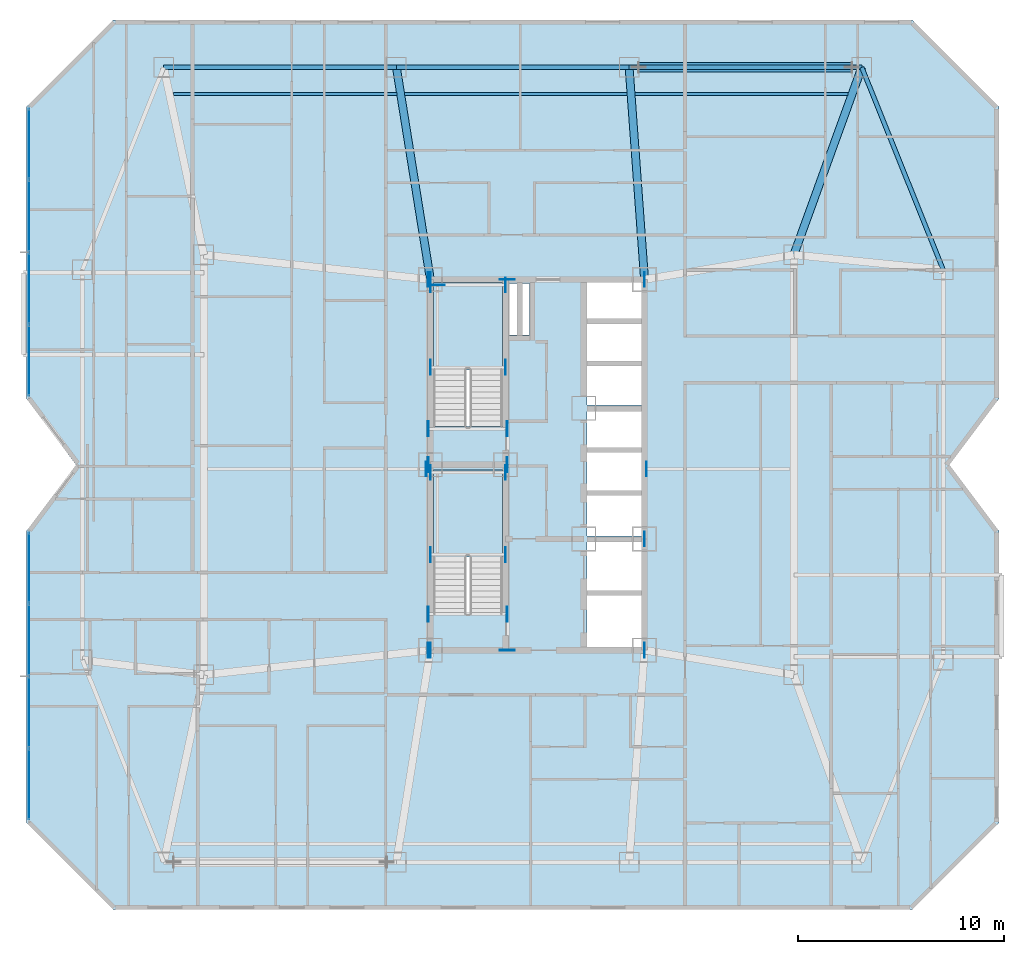
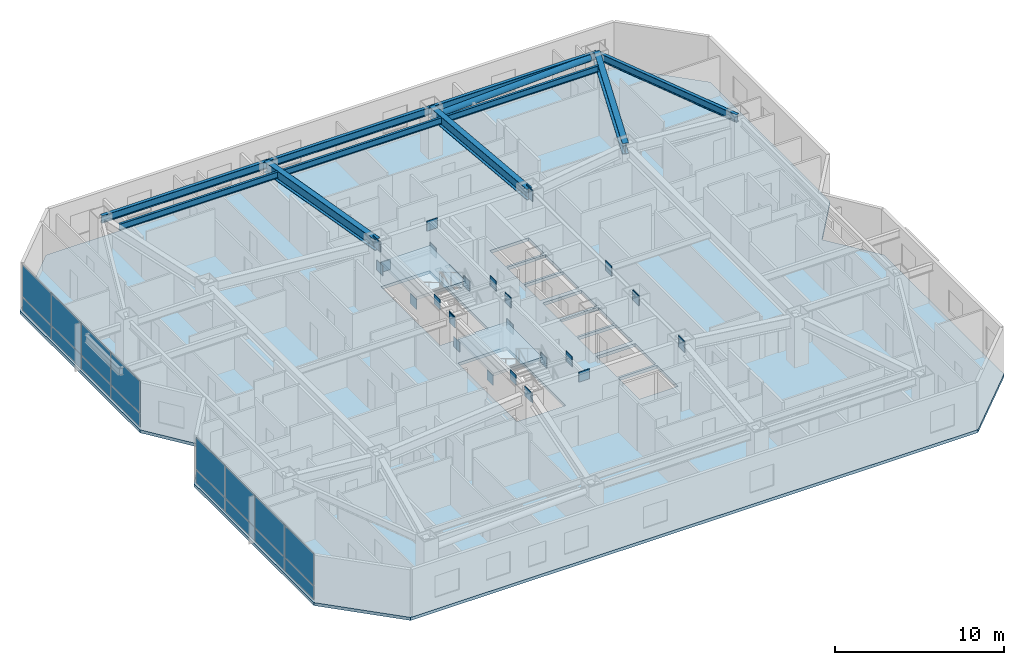
# One storey, part 11 of 21: 44 plates, 10 beams, 3 slabs, 1 member, 4 elements without a shape of their own.
"""IFC4 building model written with IfcOpenShell, lengths in metres."""

import ifcopenshell
import ifcopenshell.guid

model = None  # the IFC model being written
_history = None  # IfcOwnerHistory: only IFC2X3 demands one
_inside = {}  # id of a spatial element -> (the spatial element, [elements in it])
_under = {}  # id of a project, library or spatial element -> (it, [spatial elements below it])
_declared = {}  # id of a project -> (the project, [libraries it declares])
_typed = {}  # id of a type object -> (the type object, [elements of that type])
_made_of = {}  # id of a material, layer set ... -> (it, [elements and type objects made of it])


def new_model(schema):
    """Start an empty IFC model of exactly this schema.

    Asked for "IFC4X3", IfcOpenShell would pick the latest addendum, in which some entities
    have other attributes; the version numbers below select the first issue.
    IFC2X3 requires an IfcOwnerHistory on every rooted entity: one is made here for all.
    """
    global model, _history
    if schema == "IFC4X3":
        model = ifcopenshell.file(schema_version=(4, 3, 0, 0))
    else:
        model = ifcopenshell.file(schema=schema)
    _inside.clear()
    _under.clear()
    _declared.clear()
    _typed.clear()
    _made_of.clear()
    _history = None
    if model.schema == "IFC2X3":
        org = make("IfcOrganization", Name="unknown")
        user = make(
            "IfcPersonAndOrganization",
            ThePerson=make("IfcPerson", FamilyName="unknown"),
            TheOrganization=org,
        )
        app = make(
            "IfcApplication",
            ApplicationDeveloper=org,
            Version="unknown",
            ApplicationFullName="unknown",
            ApplicationIdentifier="unknown",
        )
        _history = make(
            "IfcOwnerHistory",
            OwningUser=user,
            OwningApplication=app,
            ChangeAction="ADDED",
            CreationDate=0,
        )
    return model


def make(cls, **values):
    """One entity of the class cls with the attributes given. An attribute that is None is left unset."""
    return model.create_entity(
        cls, **{name: value for name, value in values.items() if value is not None}
    )


def rooted(cls, **values):
    """An entity with a GlobalId (a new one), such as an element, a storey or a relation."""
    return make(cls, GlobalId=ifcopenshell.guid.new(), OwnerHistory=_history, **values)


def si_unit(unit_type, name, prefix=None):
    """IfcSIUnit, for example si_unit("LENGTHUNIT", "METRE", prefix="MILLI")."""
    return make("IfcSIUnit", UnitType=unit_type, Prefix=prefix, Name=name)


def assignment(units):
    """IfcUnitAssignment: the units of a project."""
    return None if units is None else make("IfcUnitAssignment", Units=units)


def point(xyz):
    """IfcCartesianPoint."""
    return None if xyz is None else make("IfcCartesianPoint", Coordinates=xyz)


def direction(xyz):
    """IfcDirection."""
    return None if xyz is None else make("IfcDirection", DirectionRatios=xyz)


def frame(location, z_axis=None, x_axis=None):
    """IfcAxis2Placement3D, a coordinate frame: its origin and axes. An axis left out is left unset."""
    return make(
        "IfcAxis2Placement3D",
        Location=point(location),
        Axis=direction(z_axis),
        RefDirection=direction(x_axis),
    )


def frame_2d(location, x_axis=None):
    """IfcAxis2Placement2D, a coordinate frame in the plane: its origin and x axis."""
    return make(
        "IfcAxis2Placement2D", Location=point(location), RefDirection=direction(x_axis)
    )


def origin():
    """The frame at (0, 0, 0) with its axes left unset."""
    return frame((0.0, 0.0, 0.0))


def origin_2d():
    """The frame at (0, 0) in the plane with its x axis left unset."""
    return frame_2d((0.0, 0.0))


def place(relative_to, where):
    """IfcLocalPlacement: puts the frame where relative to a parent placement (None: the world)."""
    return make(
        "IfcLocalPlacement", PlacementRelTo=relative_to, RelativePlacement=where
    )


def context(
    kind, dimensions, precision=None, world=None, true_north=None, identifier=None
):
    """IfcGeometricRepresentationContext, for example the 3D "Model" context."""
    return make(
        "IfcGeometricRepresentationContext",
        ContextIdentifier=identifier,
        ContextType=kind,
        CoordinateSpaceDimension=dimensions,
        Precision=precision,
        WorldCoordinateSystem=world,
        TrueNorth=true_north,
    )


def subcontext(parent, identifier, kind, view, scale=None):
    """IfcGeometricRepresentationSubContext, for example "Body" below "Model"."""
    return make(
        "IfcGeometricRepresentationSubContext",
        ContextIdentifier=identifier,
        ContextType=kind,
        ParentContext=parent,
        TargetScale=scale,
        TargetView=view,
    )


def project(units=None, contexts=None):
    """IfcProject with its units and contexts."""
    return rooted(
        "IfcProject",
        Name="project",
        RepresentationContexts=contexts,
        UnitsInContext=assignment(units),
    )


def spatial(cls, under=None, at=None, **own):
    """A site, building, storey or space (cls), placed at a placement, below another one or the project."""
    s = rooted(cls, ObjectPlacement=at, **own)
    if under is not None:
        _under.setdefault(under.id(), (under, []))[1].append(s)
    return s


def polyline(points):
    """IfcPolyline through the points."""
    return make("IfcPolyline", Points=[point(p) for p in points])


def profile(cls, at=None, kind="AREA", **sizes):
    """A parametric profile (cls). Its sizes go by their IFC names, for example OverallWidth=200.0."""
    return make(cls, ProfileType=kind, Position=at, **sizes)


def rectangle(**sizes):
    """IfcRectangleProfileDef."""
    return profile("IfcRectangleProfileDef", **sizes)


def hollow_circle(**sizes):
    """IfcCircleHollowProfileDef."""
    return profile("IfcCircleHollowProfileDef", **sizes)


def i_section(**sizes):
    """IfcIShapeProfileDef."""
    return profile("IfcIShapeProfileDef", **sizes)


def outline(outer, holes=None, kind="AREA"):
    """IfcArbitraryClosedProfileDef: a profile drawn as a closed curve; with holes, ...WithVoids."""
    if holes is None:
        return make("IfcArbitraryClosedProfileDef", ProfileType=kind, OuterCurve=outer)
    return make(
        "IfcArbitraryProfileDefWithVoids",
        ProfileType=kind,
        OuterCurve=outer,
        InnerCurves=holes,
    )


def extrude(swept, where, along, depth):
    """IfcExtrudedAreaSolid: the profile swept, set in the frame where, extruded along a direction by depth."""
    return make(
        "IfcExtrudedAreaSolid",
        SweptArea=swept,
        Position=where,
        ExtrudedDirection=direction(along),
        Depth=depth,
    )


def shape(context_of_items, identifier, shape_type, items):
    """IfcShapeRepresentation: the items that make up one representation, for example the "Body"."""
    return make(
        "IfcShapeRepresentation",
        ContextOfItems=context_of_items,
        RepresentationIdentifier=identifier,
        RepresentationType=shape_type,
        Items=items,
    )


def material(Name=None, Category=None):
    """IfcMaterial."""
    return make("IfcMaterial", Name=Name, Category=Category)


def layer(
    of_material, thickness, ventilated=None, Name=None, Category=None, Priority=None
):
    """IfcMaterialLayer: one layer of a wall or slab, of a material (None: an air gap)."""
    return make(
        "IfcMaterialLayer",
        Material=of_material,
        LayerThickness=thickness,
        IsVentilated=ventilated,
        Name=Name,
        Category=Category,
        Priority=Priority,
    )


def layer_set(layers, Name=None):
    """IfcMaterialLayerSet."""
    return make("IfcMaterialLayerSet", MaterialLayers=layers, LayerSetName=Name)


def material_profile(
    of_material, cross_section, Name=None, Category=None, Priority=None
):
    """IfcMaterialProfile: a cross section and its material."""
    return make(
        "IfcMaterialProfile",
        Name=Name,
        Material=of_material,
        Profile=cross_section,
        Priority=Priority,
        Category=Category,
    )


def profile_set(profiles, Name=None, composite=None):
    """IfcMaterialProfileSet."""
    return make(
        "IfcMaterialProfileSet",
        Name=Name,
        MaterialProfiles=profiles,
        CompositeProfile=composite,
    )


def made_of(thing, what):
    """Note that an element or type object is made of a material, layer set ...; save() writes the relation."""
    if what is not None:
        _made_of.setdefault(what.id(), (what, []))[1].append(thing)
    return thing


def type_object(cls, material=None, **own):
    """A type object (cls), such as IfcWallType, which elements share."""
    return made_of(rooted(cls, **own), material)


def element(
    cls,
    number,
    at=None,
    inside=None,
    cuts=None,
    type_object=None,
    material=None,
    context=None,
    identifier="Body",
    shape_type=None,
    held_by="IfcProductDefinitionShape",
    body=None,
    shapes=None,
    **own,
):
    """One element of the class cls, such as IfcWall. Its Tag is "e" and its number.

    at: its placement. inside: the storey or other place that contains it. cuts: it is an
    opening in that element (IfcRelVoidsElement). A single representation is given by context,
    identifier, shape_type and body (its items); several are given by shapes. held_by: the class
    of the entity that holds the representations. save() writes the other relations.
    """
    e = rooted(cls, Tag="e%d" % number, ObjectPlacement=at, **own)
    if body is not None:
        shapes = [shape(context, identifier, shape_type, body)]
    if shapes is not None:
        e.Representation = make(held_by, Representations=shapes)
    if inside is not None:
        _inside.setdefault(inside.id(), (inside, []))[1].append(e)
    if cuts is not None:
        rooted(
            "IfcRelVoidsElement", RelatingBuildingElement=cuts, RelatedOpeningElement=e
        )
    if type_object is not None:
        _typed.setdefault(type_object.id(), (type_object, []))[1].append(e)
    return made_of(e, material)


def aggregate(whole, parts):
    """IfcRelAggregates: a whole, such as a stair, and the parts it consists of."""
    return rooted("IfcRelAggregates", RelatingObject=whole, RelatedObjects=parts)


def save(model, path):
    """Write the relations noted so far, then the file.

    IfcRelAggregates (storeys below a building ...), IfcRelContainedInSpatialStructure (elements
    in a storey), IfcRelDefinesByType, IfcRelAssociatesMaterial and IfcRelDeclares: one each for
    every whole, place, type object, material and project.
    """
    for whole, parts in _under.values():
        aggregate(whole, parts)
    for where, things in _inside.values():
        rooted(
            "IfcRelContainedInSpatialStructure",
            RelatedElements=things,
            RelatingStructure=where,
        )
    for kind, things in _typed.values():
        rooted("IfcRelDefinesByType", RelatedObjects=things, RelatingType=kind)
    for what, things in _made_of.values():
        rooted("IfcRelAssociatesMaterial", RelatedObjects=things, RelatingMaterial=what)
    for by, libraries in _declared.values():
        rooted("IfcRelDeclares", RelatingContext=by, RelatedDefinitions=libraries)
    model.write(path)


model = new_model("IFC4")

# Units and contexts
model_context = context("Model", 3, precision=1e-05, world=origin(), true_north=direction((0.0, 1.0)))
body_context = subcontext(model_context, "Body", "Model", "MODEL_VIEW")
ifc_project = project(units=[si_unit("LENGTHUNIT", "METRE"), si_unit("AREAUNIT", "SQUARE_METRE"), si_unit("VOLUMEUNIT", "CUBIC_METRE"), si_unit("PLANEANGLEUNIT", "RADIAN"), si_unit("MASSUNIT", "GRAM", prefix="KILO")], contexts=[model_context])

# Site, building, storey
site_placement = place(None, origin())
site = spatial("IfcSite", under=ifc_project, at=site_placement, CompositionType="ELEMENT")
building_placement = place(site_placement, origin())
building = spatial("IfcBuilding", under=site, at=building_placement, Name="Khamvora Tower", CompositionType="ELEMENT")
storey_placement = place(building_placement, frame((0.0, 0.0, 98.25)))
storey = spatial("IfcBuildingStorey", under=building, at=storey_placement, Name="L24", CompositionType="ELEMENT", Elevation=98.25)

# Beams
ifc_material_1 = material(Name="Steel S355", Category="steel")
ifc_material_profile_1 = material_profile(ifc_material_1, i_section(OverallWidth=0.154052734375, OverallDepth=0.458984375, WebThickness=0.009033203125, FlangeThickness=0.014892578125, FilletRadius=0.011962890625, at=origin_2d()), Name="W460x68")
ifc_profile_set_1 = profile_set([ifc_material_profile_1], Name="Steel S355")
beam_type_1 = type_object("IfcBeamType", Name="BM-JS-W460x68", PredefinedType="JOIST", material=ifc_profile_set_1)
beam_1_placement = place(storey_placement, frame((16.51806640625, 46.0, 3.200927734375), z_axis=(1.0, 0.0, 0.0), x_axis=(0.0, 1.0, 0.0)))
element("IfcBeam", 1, at=beam_1_placement, inside=storey, type_object=beam_type_1, Name="L24 secondary floor joist 06", PredefinedType="JOIST", context=body_context, shape_type="SweptSolid", body=[
    extrude(i_section(OverallWidth=0.154052734375, OverallDepth=0.458984375, WebThickness=0.009033203125, FlangeThickness=0.014892578125, FilletRadius=0.011962890625, at=origin_2d()), origin(), (0.0, 0.0, 1.0), 10.85205078125),
])
beam_2_placement = place(storey_placement, frame((27.74609375, 46.0, 3.200927734375), z_axis=(1.0, 0.0, 0.0), x_axis=(0.0, 1.0, 0.0)))
element("IfcBeam", 2, at=beam_2_placement, inside=storey, type_object=beam_type_1, Name="L24 secondary floor joist 07", PredefinedType="JOIST", context=body_context, shape_type="SweptSolid", body=[
    extrude(i_section(OverallWidth=0.154052734375, OverallDepth=0.458984375, WebThickness=0.009033203125, FlangeThickness=0.014892578125, FilletRadius=0.011962890625, at=origin_2d()), origin(), (0.0, 0.0, 1.0), 10.81298828125),
])
beam_3_placement = place(storey_placement, frame((38.930908203125, 46.0, 3.200927734375), z_axis=(1.0, 0.0, 0.0), x_axis=(0.0, 1.0, 0.0)))
element("IfcBeam", 3, at=beam_3_placement, inside=storey, type_object=beam_type_1, Name="L24 secondary floor joist 08", PredefinedType="JOIST", context=body_context, shape_type="SweptSolid", body=[
    extrude(i_section(OverallWidth=0.154052734375, OverallDepth=0.458984375, WebThickness=0.009033203125, FlangeThickness=0.014892578125, FilletRadius=0.011962890625, at=origin_2d()), origin(), (0.0, 0.0, 1.0), 10.35009765625),
])
ifc_material_profile_2 = material_profile(ifc_material_1, i_section(OverallWidth=0.381103515625, OverallDepth=0.77294921875, WebThickness=0.01708984375, FlangeThickness=0.027099609375, FilletRadius=0.01806640625, at=origin_2d()), Name="W760x257")
ifc_profile_set_2 = profile_set([ifc_material_profile_2], Name="Steel S355")
beam_type_2 = type_object("IfcBeamType", Name="BM-PG-W760x257", PredefinedType="BEAM", material=ifc_profile_set_2)
beam_4_placement = place(storey_placement, frame((29.0, 37.0, 3.0439453125), z_axis=(-0.158167584066, 0.987412282358, 0.0), x_axis=(-0.987412282358, -0.158167584066, 0.0)))
element("IfcBeam", 4, at=beam_4_placement, inside=storey, type_object=beam_type_2, Name="L24 primary floor girder N2", PredefinedType="BEAM", context=body_context, shape_type="SweptSolid", body=[
    extrude(i_section(OverallWidth=0.381103515625, OverallDepth=0.77294921875, WebThickness=0.01708984375, FlangeThickness=0.027099609375, FilletRadius=0.01806640625, at=origin_2d()), origin(), (0.0, 0.0, 1.0), 10.431396484375),
])
beam_5_placement = place(storey_placement, frame((39.39990234375, 37.0, 3.0439453125), z_axis=(-0.07262291808, 0.997359469685, 0.0), x_axis=(-0.997359469685, -0.07262291808, 0.0)))
element("IfcBeam", 5, at=beam_5_placement, inside=storey, type_object=beam_type_2, Name="L24 primary floor girder N3", PredefinedType="BEAM", context=body_context, shape_type="SweptSolid", body=[
    extrude(i_section(OverallWidth=0.381103515625, OverallDepth=0.77294921875, WebThickness=0.01708984375, FlangeThickness=0.027099609375, FilletRadius=0.01806640625, at=origin_2d()), origin(), (0.0, 0.0, 1.0), 10.327392578125),
])
beam_6_placement = place(storey_placement, frame((46.64990234375, 38.199951171875, 3.0439453125), z_axis=(0.340914681567, 0.940094239899, 0.0), x_axis=(-0.940094239899, 0.340914681567, 0.0)))
element("IfcBeam", 6, at=beam_6_placement, inside=storey, type_object=beam_type_2, Name="L24 primary floor girder N4", PredefinedType="BEAM", context=body_context, shape_type="SweptSolid", body=[
    extrude(i_section(OverallWidth=0.381103515625, OverallDepth=0.77294921875, WebThickness=0.01708984375, FlangeThickness=0.027099609375, FilletRadius=0.01806640625, at=origin_2d()), origin(), (0.0, 0.0, 1.0), 9.679931640625),
])
ifc_material_profile_3 = material_profile(ifc_material_1, i_section(OverallWidth=0.2119140625, OverallDepth=0.5439453125, WebThickness=0.012939453125, FlangeThickness=0.02099609375, FilletRadius=0.013916015625, at=origin_2d()), Name="W530x123")
ifc_profile_set_3 = profile_set([ifc_material_profile_3], Name="Steel S355")
beam_type_3 = type_object("IfcBeamType", Name="BM-SP-W530x123", PredefinedType="SPANDREL", material=ifc_profile_set_3)
beam_7_placement = place(storey_placement, frame((53.89990234375, 37.47509765625, 3.157958984375), z_axis=(-0.373015921536, 0.927824941614, 0.0), x_axis=(-0.927824941614, -0.373015921536, 0.0)))
element("IfcBeam", 7, at=beam_7_placement, inside=storey, type_object=beam_type_3, Name="L24 perimeter spandrel beam E2-N4", PredefinedType="SPANDREL", context=body_context, shape_type="SweptSolid", body=[
    extrude(i_section(OverallWidth=0.2119140625, OverallDepth=0.5439453125, WebThickness=0.012939453125, FlangeThickness=0.02099609375, FilletRadius=0.013916015625, at=origin_2d()), origin(), (0.0, 0.0, 1.0), 10.589111328125),
])
beam_8_placement = place(storey_placement, frame((49.949951171875, 47.300048828125, 3.157958984375), z_axis=(-1.0, 0.0, 0.0), x_axis=(0.0, -1.0, 0.0)))
element("IfcBeam", 8, at=beam_8_placement, inside=storey, type_object=beam_type_3, Name="L24 perimeter spandrel beam N4-N3", PredefinedType="SPANDREL", context=body_context, shape_type="SweptSolid", body=[
    extrude(i_section(OverallWidth=0.2119140625, OverallDepth=0.5439453125, WebThickness=0.012939453125, FlangeThickness=0.02099609375, FilletRadius=0.013916015625, at=origin_2d()), origin(), (0.0, 0.0, 1.0), 11.300048828125),
])
beam_9_placement = place(storey_placement, frame((38.64990234375, 47.300048828125, 3.157958984375), z_axis=(-1.0, 0.0, 0.0), x_axis=(0.0, -1.0, 0.0)))
element("IfcBeam", 9, at=beam_9_placement, inside=storey, type_object=beam_type_3, Name="L24 perimeter spandrel beam N3-N2", PredefinedType="SPANDREL", context=body_context, shape_type="SweptSolid", body=[
    extrude(i_section(OverallWidth=0.2119140625, OverallDepth=0.5439453125, WebThickness=0.012939453125, FlangeThickness=0.02099609375, FilletRadius=0.013916015625, at=origin_2d()), origin(), (0.0, 0.0, 1.0), 11.2998046875),
])
beam_10_placement = place(storey_placement, frame((27.35009765625, 47.300048828125, 3.157958984375), z_axis=(-1.0, 0.0, 0.0), x_axis=(0.0, -1.0, 0.0)))
element("IfcBeam", 10, at=beam_10_placement, inside=storey, type_object=beam_type_3, Name="L24 perimeter spandrel beam N2-N1", PredefinedType="SPANDREL", context=body_context, shape_type="SweptSolid", body=[
    extrude(i_section(OverallWidth=0.2119140625, OverallDepth=0.5439453125, WebThickness=0.012939453125, FlangeThickness=0.02099609375, FilletRadius=0.013916015625, at=origin_2d()), origin(), (0.0, 0.0, 1.0), 11.300048828125),
])

# Member
ifc_material_profile_4 = material_profile(ifc_material_1, hollow_circle(Radius=0.228515625, WallThickness=0.02001953125, at=origin_2d()), Name="CHS457x20")
ifc_profile_set_4 = profile_set([ifc_material_profile_4], Name="Steel S355")
member_type = type_object("IfcMemberType", Name="MEM-BR-CHS457", PredefinedType="BRACE", material=ifc_profile_set_4)
member_placement = place(storey_placement, frame((39.1298828125, 47.300048828125, 2.699951171875), z_axis=(0.999087057337, 0.0, 0.042720625713), x_axis=(0.0, 1.0, 0.0)))
element("IfcMember", 11, at=member_placement, inside=storey, type_object=member_type, Name="L24 perimeter wind brace 2", PredefinedType="BRACE", context=body_context, shape_type="SweptSolid", body=[
    extrude(hollow_circle(Radius=0.228515625, WallThickness=0.02001953125, at=origin_2d()), origin(), (0.0, 0.0, 1.0), 10.349609375),
])

# Curtain wall, plates
ifc_material_2 = material(Name="Anodised Aluminium 6063-T6", Category="aluminium")
curtain_wall_type = type_object("IfcCurtainWallType", Name="CW-SYS-03", PredefinedType="NOTDEFINED", material=ifc_material_2)
curtain_wall_1_placement = place(storey_placement, origin())
curtain_wall_1 = element("IfcCurtainWall", 12, at=curtain_wall_1_placement, inside=storey, type_object=curtain_wall_type, Name="L24 stick curtain wall 02.1", PredefinedType="NOTDEFINED")
ifc_material_3 = material(Name="Low-E Laminated Double Glazing", Category="glass")
ifc_layer_1 = layer(ifc_material_3, 0.030029296875)
ifc_layer_set_1 = layer_set([ifc_layer_1], Name="Low-E Laminated Double Glazing")
plate_type_1 = type_object("IfcPlateType", Name="CW-SYS-03-PNL", PredefinedType="CURTAIN_PANEL", material=ifc_layer_set_1)
plate_1_placement = place(storey_placement, frame((9.510009765625, 12.489013671875, 0.06494140625), z_axis=(0.0, 0.0, 1.0), x_axis=(0.0, 1.0, 0.0)))
plate_1 = element("IfcPlate", 13, at=plate_1_placement, type_object=plate_type_1, Name="CW-03 panel 1.1", PredefinedType="CURTAIN_PANEL", context=body_context, shape_type="SweptSolid", body=[
    extrude(rectangle(XDim=3.4140625, YDim=0.030029296875, at=origin_2d()), origin(), (0.0, 0.0, 1.0), 0.952392578125),
])
plate_2_placement = place(storey_placement, frame((9.510009765625, 12.489013671875, 1.08251953125), z_axis=(0.0, 0.0, 1.0), x_axis=(0.0, 1.0, 0.0)))
plate_2 = element("IfcPlate", 14, at=plate_2_placement, type_object=plate_type_1, Name="CW-03 panel 1.2", PredefinedType="CURTAIN_PANEL", context=body_context, shape_type="SweptSolid", body=[
    extrude(rectangle(XDim=3.4140625, YDim=0.030029296875, at=origin_2d()), origin(), (0.0, 0.0, 1.0), 2.282470703125),
])
plate_3_placement = place(storey_placement, frame((9.510009765625, 15.984130859375, 0.06494140625), z_axis=(0.0, 0.0, 1.0), x_axis=(0.0, 1.0, 0.0)))
plate_3 = element("IfcPlate", 15, at=plate_3_placement, type_object=plate_type_1, Name="CW-03 panel 2.1", PredefinedType="CURTAIN_PANEL", context=body_context, shape_type="SweptSolid", body=[
    extrude(rectangle(XDim=3.446533203125, YDim=0.030029296875, at=origin_2d()), origin(), (0.0, 0.0, 1.0), 0.952392578125),
])
plate_4_placement = place(storey_placement, frame((9.510009765625, 15.984130859375, 1.08251953125), z_axis=(0.0, 0.0, 1.0), x_axis=(0.0, 1.0, 0.0)))
plate_4 = element("IfcPlate", 16, at=plate_4_placement, type_object=plate_type_1, Name="CW-03 panel 2.2", PredefinedType="CURTAIN_PANEL", context=body_context, shape_type="SweptSolid", body=[
    extrude(rectangle(XDim=3.446533203125, YDim=0.030029296875, at=origin_2d()), origin(), (0.0, 0.0, 1.0), 2.282470703125),
])
plate_5_placement = place(storey_placement, frame((9.510009765625, 19.495849609375, 0.06494140625), z_axis=(0.0, 0.0, 1.0), x_axis=(0.0, 1.0, 0.0)))
plate_5 = element("IfcPlate", 17, at=plate_5_placement, type_object=plate_type_1, Name="CW-03 panel 3.1", PredefinedType="CURTAIN_PANEL", context=body_context, shape_type="SweptSolid", body=[
    extrude(rectangle(XDim=3.446533203125, YDim=0.030029296875, at=origin_2d()), origin(), (0.0, 0.0, 1.0), 0.952392578125),
])
plate_6_placement = place(storey_placement, frame((9.510009765625, 19.495849609375, 1.08251953125), z_axis=(0.0, 0.0, 1.0), x_axis=(0.0, 1.0, 0.0)))
plate_6 = element("IfcPlate", 18, at=plate_6_placement, type_object=plate_type_1, Name="CW-03 panel 3.2", PredefinedType="CURTAIN_PANEL", context=body_context, shape_type="SweptSolid", body=[
    extrude(rectangle(XDim=3.446533203125, YDim=0.030029296875, at=origin_2d()), origin(), (0.0, 0.0, 1.0), 2.282470703125),
])
plate_7_placement = place(storey_placement, frame((9.510009765625, 22.990966796875, 0.06494140625), z_axis=(0.0, 0.0, 1.0), x_axis=(0.0, 1.0, 0.0)))
plate_7 = element("IfcPlate", 19, at=plate_7_placement, type_object=plate_type_1, Name="CW-03 panel 4.1", PredefinedType="CURTAIN_PANEL", context=body_context, shape_type="SweptSolid", body=[
    extrude(rectangle(XDim=3.4140625, YDim=0.030029296875, at=origin_2d()), origin(), (0.0, 0.0, 1.0), 0.952392578125),
])
plate_8_placement = place(storey_placement, frame((9.510009765625, 22.990966796875, 1.08251953125), z_axis=(0.0, 0.0, 1.0), x_axis=(0.0, 1.0, 0.0)))
plate_8 = element("IfcPlate", 20, at=plate_8_placement, type_object=plate_type_1, Name="CW-03 panel 4.2", PredefinedType="CURTAIN_PANEL", context=body_context, shape_type="SweptSolid", body=[
    extrude(rectangle(XDim=3.4140625, YDim=0.030029296875, at=origin_2d()), origin(), (0.0, 0.0, 1.0), 2.282470703125),
])
aggregate(curtain_wall_1, [plate_1, plate_2, plate_3, plate_4, plate_5, plate_6, plate_7, plate_8])

curtain_wall_2_placement = place(storey_placement, origin())
curtain_wall_2 = element("IfcCurtainWall", 21, at=curtain_wall_2_placement, inside=storey, type_object=curtain_wall_type, Name="L24 stick curtain wall 05.1", PredefinedType="NOTDEFINED")
plate_9_placement = place(storey_placement, frame((9.510009765625, 33.06689453125, 0.06494140625), z_axis=(0.0, 0.0, 1.0), x_axis=(0.0, 1.0, 0.0)))
plate_9 = element("IfcPlate", 22, at=plate_9_placement, type_object=plate_type_1, Name="CW-03 panel 1.1", PredefinedType="CURTAIN_PANEL", context=body_context, shape_type="SweptSolid", body=[
    extrude(rectangle(XDim=3.417724609375, YDim=0.030029296875, at=origin_2d()), origin(), (0.0, 0.0, 1.0), 0.952392578125),
])
plate_10_placement = place(storey_placement, frame((9.510009765625, 33.06689453125, 1.08251953125), z_axis=(0.0, 0.0, 1.0), x_axis=(0.0, 1.0, 0.0)))
plate_10 = element("IfcPlate", 23, at=plate_10_placement, type_object=plate_type_1, Name="CW-03 panel 1.2", PredefinedType="CURTAIN_PANEL", context=body_context, shape_type="SweptSolid", body=[
    extrude(rectangle(XDim=3.417724609375, YDim=0.030029296875, at=origin_2d()), origin(), (0.0, 0.0, 1.0), 2.282470703125),
])
plate_11_placement = place(storey_placement, frame((9.510009765625, 36.56591796875, 0.06494140625), z_axis=(0.0, 0.0, 1.0), x_axis=(0.0, 1.0, 0.0)))
plate_11 = element("IfcPlate", 24, at=plate_11_placement, type_object=plate_type_1, Name="CW-03 panel 2.1", PredefinedType="CURTAIN_PANEL", context=body_context, shape_type="SweptSolid", body=[
    extrude(rectangle(XDim=3.4501953125, YDim=0.030029296875, at=origin_2d()), origin(), (0.0, 0.0, 1.0), 0.952392578125),
])
plate_12_placement = place(storey_placement, frame((9.510009765625, 36.56591796875, 1.08251953125), z_axis=(0.0, 0.0, 1.0), x_axis=(0.0, 1.0, 0.0)))
plate_12 = element("IfcPlate", 25, at=plate_12_placement, type_object=plate_type_1, Name="CW-03 panel 2.2", PredefinedType="CURTAIN_PANEL", context=body_context, shape_type="SweptSolid", body=[
    extrude(rectangle(XDim=3.4501953125, YDim=0.030029296875, at=origin_2d()), origin(), (0.0, 0.0, 1.0), 2.282470703125),
])
plate_13_placement = place(storey_placement, frame((9.510009765625, 40.0810546875, 0.06494140625), z_axis=(0.0, 0.0, 1.0), x_axis=(0.0, 1.0, 0.0)))
plate_13 = element("IfcPlate", 26, at=plate_13_placement, type_object=plate_type_1, Name="CW-03 panel 3.1", PredefinedType="CURTAIN_PANEL", context=body_context, shape_type="SweptSolid", body=[
    extrude(rectangle(XDim=3.4501953125, YDim=0.030029296875, at=origin_2d()), origin(), (0.0, 0.0, 1.0), 0.952392578125),
])
plate_14_placement = place(storey_placement, frame((9.510009765625, 40.0810546875, 1.08251953125), z_axis=(0.0, 0.0, 1.0), x_axis=(0.0, 1.0, 0.0)))
plate_14 = element("IfcPlate", 27, at=plate_14_placement, type_object=plate_type_1, Name="CW-03 panel 3.2", PredefinedType="CURTAIN_PANEL", context=body_context, shape_type="SweptSolid", body=[
    extrude(rectangle(XDim=3.4501953125, YDim=0.030029296875, at=origin_2d()), origin(), (0.0, 0.0, 1.0), 2.282470703125),
])
plate_15_placement = place(storey_placement, frame((9.510009765625, 43.580078125, 0.06494140625), z_axis=(0.0, 0.0, 1.0), x_axis=(0.0, 1.0, 0.0)))
plate_15 = element("IfcPlate", 28, at=plate_15_placement, type_object=plate_type_1, Name="CW-03 panel 4.1", PredefinedType="CURTAIN_PANEL", context=body_context, shape_type="SweptSolid", body=[
    extrude(rectangle(XDim=3.417724609375, YDim=0.030029296875, at=origin_2d()), origin(), (0.0, 0.0, 1.0), 0.952392578125),
])
plate_16_placement = place(storey_placement, frame((9.510009765625, 43.580078125, 1.08251953125), z_axis=(0.0, 0.0, 1.0), x_axis=(0.0, 1.0, 0.0)))
plate_16 = element("IfcPlate", 29, at=plate_16_placement, type_object=plate_type_1, Name="CW-03 panel 4.2", PredefinedType="CURTAIN_PANEL", context=body_context, shape_type="SweptSolid", body=[
    extrude(rectangle(XDim=3.417724609375, YDim=0.030029296875, at=origin_2d()), origin(), (0.0, 0.0, 1.0), 2.282470703125),
])
aggregate(curtain_wall_2, [plate_9, plate_10, plate_11, plate_12, plate_13, plate_14, plate_15, plate_16])

# Plates
ifc_material_4 = material(Name="Steel S460", Category="steel")
ifc_layer_2 = layer(ifc_material_4, 0.034912109375)
ifc_layer_set_2 = layer_set([ifc_layer_2], Name="Steel S460")
plate_type_2 = type_object("IfcPlateType", Name="PL-EMB-35", PredefinedType="SHEET", material=ifc_layer_set_2)
for number, where, z_axis, x_axis, name in (
    (30, (29.0, 23.635009765625, 1.1337890625), (0.0, 0.0, 1.0), (1.0, 0.0, 0.0), "L24 core shear wall cast-in embed plate 0712"),
    (31, (32.64990234375, 23.635009765625, 1.1337890625), (0.0, 0.0, 1.0), (1.0, 0.0, 0.0), "L24 core shear wall cast-in embed plate 0713"),
    (32, (29.0, 27.6298828125, 1.1337890625), (0.0, 0.0, 1.0), (1.0, 0.0, 0.0), "L24 core shear wall cast-in embed plate 0714"),
    (33, (32.64990234375, 27.6298828125, 1.1337890625), (0.0, 0.0, 1.0), (1.0, 0.0, 0.0), "L24 core shear wall cast-in embed plate 0715"),
    (34, (29.0, 32.735107421875, 1.1337890625), (0.0, 0.0, 1.0), (1.0, 0.0, 0.0), "L24 core shear wall cast-in embed plate 0716"),
    (35, (32.64990234375, 32.735107421875, 1.1337890625), (0.0, 0.0, 1.0), (1.0, 0.0, 0.0), "L24 core shear wall cast-in embed plate 0717"),
    (36, (29.0, 36.72998046875, 1.1337890625), (0.0, 0.0, 1.0), (1.0, 0.0, 0.0), "L24 core shear wall cast-in embed plate 0718"),
    (37, (32.64990234375, 36.72998046875, 1.1337890625), (0.0, 0.0, 1.0), (1.0, 0.0, 0.0), "L24 core shear wall cast-in embed plate 0719"),
):
    element("IfcPlate", number, at=place(storey_placement, frame(where, z_axis=z_axis, x_axis=x_axis)), inside=storey, type_object=plate_type_2, Name=name, PredefinedType="SHEET", context=body_context, shape_type="SweptSolid", body=[
        extrude(rectangle(XDim=0.034912109375, YDim=0.719970703125, at=origin_2d()), origin(), (0.0, 0.0, 1.0), 0.719970703125),
    ])
plate_17_placement = place(storey_placement, frame((29.35009765625, 36.72998046875, 1.1337890625), z_axis=(0.0, 0.0, 1.0), x_axis=(1.0, 0.0, 0.0)))
element("IfcPlate", 38, at=plate_17_placement, inside=storey, type_object=plate_type_2, Name="L24 core shear wall cast-in embed plate 0720", PredefinedType="SHEET", context=body_context, shape_type="SweptSolid", body=[
    extrude(rectangle(XDim=0.719970703125, YDim=0.034912109375, at=origin_2d()), origin(), (0.0, 0.0, 1.0), 0.719970703125),
])
for number, where, z_axis, x_axis, name in (
    (39, (29.0, 19.0, 2.68408203125), (0.0, 0.0, 1.0), (1.0, 0.0, 0.0), "L24 core shear wall cast-in embed plate 0721"),
    (40, (39.39990234375, 19.0, 2.68408203125), (0.0, 0.0, 1.0), (1.0, 0.0, 0.0), "L24 core shear wall cast-in embed plate 0722"),
    (41, (29.0, 37.0, 2.68408203125), (0.0, 0.0, 1.0), (1.0, 0.0, 0.0), "L24 core shear wall cast-in embed plate 0723"),
    (42, (39.39990234375, 37.0, 2.68408203125), (0.0, 0.0, 1.0), (1.0, 0.0, 0.0), "L24 core shear wall cast-in embed plate 0724"),
    (43, (28.89990234375, 19.0, 2.80419921875), (0.0, 0.0, 1.0), (1.0, 0.0, 0.0), "L24 core shear wall cast-in embed plate 0725"),
    (44, (28.89990234375, 28.0, 2.80419921875), (0.0, 0.0, 1.0), (1.0, 0.0, 0.0), "L24 core shear wall cast-in embed plate 0726"),
    (45, (28.89990234375, 37.0, 2.80419921875), (0.0, 0.0, 1.0), (1.0, 0.0, 0.0), "L24 core shear wall cast-in embed plate 0727"),
):
    element("IfcPlate", number, at=place(storey_placement, frame(where, z_axis=z_axis, x_axis=x_axis)), inside=storey, type_object=plate_type_2, Name=name, PredefinedType="SHEET", context=body_context, shape_type="SweptSolid", body=[
        extrude(rectangle(XDim=0.034912109375, YDim=0.719970703125, at=origin_2d()), origin(), (0.0, 0.0, 1.0), 0.719970703125),
    ])
plate_18_placement = place(storey_placement, frame((32.72998046875, 19.0, 2.80419921875), z_axis=(0.0, 0.0, 1.0), x_axis=(1.0, 0.0, 0.0)))
element("IfcPlate", 46, at=plate_18_placement, inside=storey, type_object=plate_type_2, Name="L24 core shear wall cast-in embed plate 0728", PredefinedType="SHEET", context=body_context, shape_type="SweptSolid", body=[
    extrude(rectangle(XDim=0.719970703125, YDim=0.034912109375, at=origin_2d()), origin(), (0.0, 0.0, 1.0), 0.719970703125),
])
plate_19_placement = place(storey_placement, frame((32.72998046875, 28.0, 2.80419921875), z_axis=(0.0, 0.0, 1.0), x_axis=(1.0, 0.0, 0.0)))
element("IfcPlate", 47, at=plate_19_placement, inside=storey, type_object=plate_type_2, Name="L24 core shear wall cast-in embed plate 0729", PredefinedType="SHEET", context=body_context, shape_type="SweptSolid", body=[
    extrude(rectangle(XDim=0.034912109375, YDim=0.719970703125, at=origin_2d()), origin(), (0.0, 0.0, 1.0), 0.719970703125),
])
plate_20_placement = place(storey_placement, frame((32.72998046875, 37.0, 2.80419921875), z_axis=(0.0, 0.0, 1.0), x_axis=(1.0, 0.0, 0.0)))
element("IfcPlate", 48, at=plate_20_placement, inside=storey, type_object=plate_type_2, Name="L24 core shear wall cast-in embed plate 0730", PredefinedType="SHEET", context=body_context, shape_type="SweptSolid", body=[
    extrude(rectangle(XDim=0.719970703125, YDim=0.034912109375, at=origin_2d()), origin(), (0.0, 0.0, 1.0), 0.719970703125),
])
for number, where, z_axis, x_axis, name in (
    (49, (39.39990234375, 19.0, 2.80419921875), (0.0, 0.0, 1.0), (1.0, 0.0, 0.0), "L24 core shear wall cast-in embed plate 0731"),
    (50, (39.39990234375, 24.39990234375, 2.80419921875), (0.0, 0.0, 1.0), (1.0, 0.0, 0.0), "L24 core shear wall cast-in embed plate 0732"),
    (51, (39.39990234375, 37.0, 2.80419921875), (0.0, 0.0, 1.0), (1.0, 0.0, 0.0), "L24 core shear wall cast-in embed plate 0733"),
    (52, (28.89990234375, 20.75, 2.94384765625), (0.0, 0.0, 1.0), (1.0, 0.0, 0.0), "L24 core shear wall cast-in embed plate 0734"),
    (53, (32.72998046875, 20.75, 2.94384765625), (0.0, 0.0, 1.0), (1.0, 0.0, 0.0), "L24 core shear wall cast-in embed plate 0735"),
    (54, (28.89990234375, 29.75, 2.94384765625), (0.0, 0.0, 1.0), (1.0, 0.0, 0.0), "L24 core shear wall cast-in embed plate 0736"),
    (55, (32.72998046875, 29.75, 2.94384765625), (0.0, 0.0, 1.0), (1.0, 0.0, 0.0), "L24 core shear wall cast-in embed plate 0737"),
    (56, (28.800048828125, 27.800048828125, 2.8408203125), (0.0, 0.0, 1.0), (1.0, 0.0, 0.0), "L24 core shear wall cast-in embed plate 0738"),
    (57, (39.4990234375, 27.800048828125, 2.8408203125), (0.0, 0.0, 1.0), (1.0, 0.0, 0.0), "L24 core shear wall cast-in embed plate 0739"),
):
    element("IfcPlate", number, at=place(storey_placement, frame(where, z_axis=z_axis, x_axis=x_axis)), inside=storey, type_object=plate_type_2, Name=name, PredefinedType="SHEET", context=body_context, shape_type="SweptSolid", body=[
        extrude(rectangle(XDim=0.034912109375, YDim=0.719970703125, at=origin_2d()), origin(), (0.0, 0.0, 1.0), 0.719970703125),
    ])

# Stair, slab
ifc_material_5 = material(Name="Concrete C40/50", Category="concrete")
stair_type_1 = type_object("IfcStairType", Name="STR-ST-01", PredefinedType="HALF_TURN_STAIR", material=ifc_material_5)
stair_1_placement = place(storey_placement, origin())
stair_1 = element("IfcStair", 58, at=stair_1_placement, inside=storey, type_object=stair_type_1, Name="L24 South Tower Exit Stair ST-01", PredefinedType="HALF_TURN_STAIR")
ifc_layer_3 = layer(ifc_material_5, 0.199951171875)
ifc_layer_set_3 = layer_set([ifc_layer_3], Name="Concrete C40/50")
slab_type_1 = type_object("IfcSlabType", Name="SLB-LND-200", PredefinedType="LANDING", material=ifc_layer_set_3)
slab_1_placement = place(storey_placement, frame((0.0, 0.0, 1.625)))
slab_1 = element("IfcSlab", 59, at=slab_1_placement, type_object=slab_type_1, Name="ST-01 landing 1", PredefinedType="LANDING", context=body_context, shape_type="SweptSolid", body=[
    extrude(outline(polyline([(32.5, 23.514892578125), (32.5, 27.75), (29.14990234375, 27.75), (29.14990234375, 23.514892578125), (32.5, 23.514892578125)])), origin(), (0.0, 0.0, 1.0), 0.199951171875),
])
aggregate(stair_1, [slab_1])

stair_type_2 = type_object("IfcStairType", Name="STR-ST-02", PredefinedType="HALF_TURN_STAIR", material=ifc_material_5)
stair_2_placement = place(storey_placement, origin())
stair_2 = element("IfcStair", 60, at=stair_2_placement, inside=storey, type_object=stair_type_2, Name="L24 North Tower Exit Stair ST-02", PredefinedType="HALF_TURN_STAIR")
slab_2_placement = place(storey_placement, frame((0.0, 0.0, 1.625)))
slab_2 = element("IfcSlab", 61, at=slab_2_placement, type_object=slab_type_1, Name="ST-02 landing 1", PredefinedType="LANDING", context=body_context, shape_type="SweptSolid", body=[
    extrude(outline(polyline([(32.5, 32.614990234375), (32.5, 36.85009765625), (29.14990234375, 36.85009765625), (29.14990234375, 32.614990234375), (32.5, 32.614990234375)])), origin(), (0.0, 0.0, 1.0), 0.199951171875),
])
aggregate(stair_2, [slab_2])

# Slab
ifc_material_6 = material(Name="Concrete C35/45", Category="concrete")
ifc_layer_4 = layer(ifc_material_6, 0.219970703125)
ifc_layer_set_4 = layer_set([ifc_layer_4], Name="Concrete C35/45")
slab_type_2 = type_object("IfcSlabType", Name="SLB-TYP-220", PredefinedType="FLOOR", material=ifc_layer_set_4)
slab_3_placement = place(storey_placement, frame((0.0, 0.0, -0.219970703125)))
element("IfcSlab", 62, at=slab_3_placement, inside=storey, type_object=slab_type_2, Name="L24 structural floor slab", PredefinedType="FLOOR", context=body_context, shape_type="SweptSolid", body=[
    extrude(outline(polyline([(13.60009765625, 6.39990234375), (52.39990234375, 6.39990234375), (56.60009765625, 10.60009765625), (56.60009765625, 24.800048828125), (54.199951171875, 28.0), (56.60009765625, 31.199951171875), (56.60009765625, 45.39990234375), (52.39990234375, 49.60009765625), (13.60009765625, 49.60009765625), (9.39990234375, 45.39990234375), (9.39990234375, 31.199951171875), (11.800048828125, 28.0), (9.39990234375, 24.800048828125), (9.39990234375, 10.60009765625), (13.60009765625, 6.39990234375)]), holes=[polyline([(32.5, 20.760009765625), (32.5, 27.75), (29.14990234375, 27.75), (29.14990234375, 20.760009765625), (32.5, 20.760009765625)]), polyline([(32.5, 29.860107421875), (32.5, 36.85009765625), (29.14990234375, 36.85009765625), (29.14990234375, 29.860107421875), (32.5, 29.860107421875)]), polyline([(36.60009765625, 19.14990234375), (39.25, 19.14990234375), (39.25, 21.64990234375), (36.60009765625, 21.64990234375), (36.60009765625, 19.14990234375)]), polyline([(36.60009765625, 21.800048828125), (39.25, 21.800048828125), (39.25, 24.25), (36.60009765625, 24.25), (36.60009765625, 21.800048828125)]), polyline([(36.60009765625, 24.550048828125), (39.25, 24.550048828125), (39.25, 26.5), (36.60009765625, 26.5), (36.60009765625, 24.550048828125)]), polyline([(36.60009765625, 26.64990234375), (39.25, 26.64990234375), (39.25, 28.60009765625), (36.60009765625, 28.60009765625), (36.60009765625, 26.64990234375)]), polyline([(36.60009765625, 28.75), (39.25, 28.75), (39.25, 30.60009765625), (36.60009765625, 30.60009765625), (36.60009765625, 28.75)]), polyline([(36.60009765625, 30.89990234375), (39.25, 30.89990234375), (39.25, 32.800048828125), (36.60009765625, 32.800048828125), (36.60009765625, 30.89990234375)]), polyline([(36.60009765625, 32.949951171875), (39.25, 32.949951171875), (39.25, 34.85009765625), (36.60009765625, 34.85009765625), (36.60009765625, 32.949951171875)]), polyline([(36.60009765625, 35.0), (39.25, 35.0), (39.25, 36.85009765625), (36.60009765625, 36.85009765625), (36.60009765625, 35.0)]), polyline([(32.800048828125, 34.300048828125), (33.199951171875, 34.300048828125), (33.199951171875, 36.800048828125), (32.800048828125, 36.800048828125), (32.800048828125, 34.300048828125)]), polyline([(33.47998046875, 34.300048828125), (33.820068359375, 34.300048828125), (33.820068359375, 36.800048828125), (33.47998046875, 36.800048828125), (33.47998046875, 34.300048828125)])]), origin(), (0.0, 0.0, 1.0), 0.219970703125),
])

save(model, "model.ifc")
